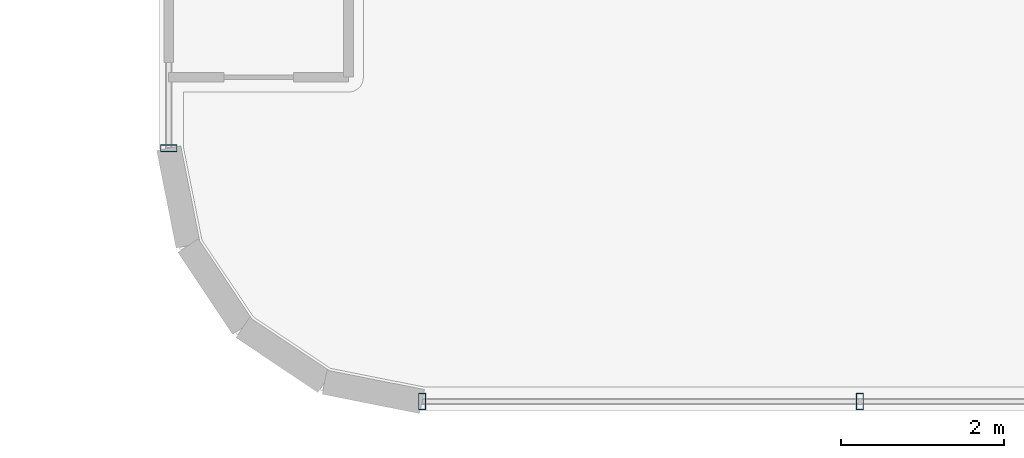
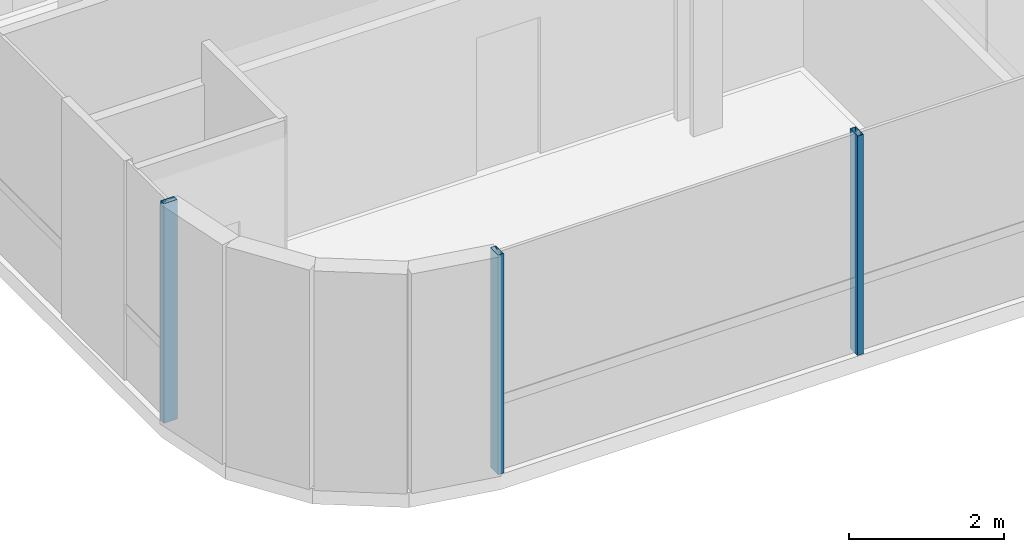
# One storey, part 2 of 40: 3 members, 2 elements without a shape of their own.
"""IFC4 building model written with IfcOpenShell, lengths in metres."""

import ifcopenshell
import ifcopenshell.guid

model = None  # the IFC model being written
_history = None  # IfcOwnerHistory: only IFC2X3 demands one
_inside = {}  # id of a spatial element -> (the spatial element, [elements in it])
_under = {}  # id of a project, library or spatial element -> (it, [spatial elements below it])
_declared = {}  # id of a project -> (the project, [libraries it declares])
_typed = {}  # id of a type object -> (the type object, [elements of that type])
_made_of = {}  # id of a material, layer set ... -> (it, [elements and type objects made of it])


def new_model(schema):
    """Start an empty IFC model of exactly this schema.

    Asked for "IFC4X3", IfcOpenShell would pick the latest addendum, in which some entities
    have other attributes; the version numbers below select the first issue.
    IFC2X3 requires an IfcOwnerHistory on every rooted entity: one is made here for all.
    """
    global model, _history
    if schema == "IFC4X3":
        model = ifcopenshell.file(schema_version=(4, 3, 0, 0))
    else:
        model = ifcopenshell.file(schema=schema)
    _inside.clear()
    _under.clear()
    _declared.clear()
    _typed.clear()
    _made_of.clear()
    _history = None
    if model.schema == "IFC2X3":
        org = make("IfcOrganization", Name="unknown")
        user = make(
            "IfcPersonAndOrganization",
            ThePerson=make("IfcPerson", FamilyName="unknown"),
            TheOrganization=org,
        )
        app = make(
            "IfcApplication",
            ApplicationDeveloper=org,
            Version="unknown",
            ApplicationFullName="unknown",
            ApplicationIdentifier="unknown",
        )
        _history = make(
            "IfcOwnerHistory",
            OwningUser=user,
            OwningApplication=app,
            ChangeAction="ADDED",
            CreationDate=0,
        )
    return model


def make(cls, **values):
    """One entity of the class cls with the attributes given. An attribute that is None is left unset."""
    return model.create_entity(
        cls, **{name: value for name, value in values.items() if value is not None}
    )


def rooted(cls, **values):
    """An entity with a GlobalId (a new one), such as an element, a storey or a relation."""
    return make(cls, GlobalId=ifcopenshell.guid.new(), OwnerHistory=_history, **values)


def si_unit(unit_type, name, prefix=None):
    """IfcSIUnit, for example si_unit("LENGTHUNIT", "METRE", prefix="MILLI")."""
    return make("IfcSIUnit", UnitType=unit_type, Prefix=prefix, Name=name)


def assignment(units):
    """IfcUnitAssignment: the units of a project."""
    return None if units is None else make("IfcUnitAssignment", Units=units)


def point(xyz):
    """IfcCartesianPoint."""
    return None if xyz is None else make("IfcCartesianPoint", Coordinates=xyz)


def direction(xyz):
    """IfcDirection."""
    return None if xyz is None else make("IfcDirection", DirectionRatios=xyz)


def frame(location, z_axis=None, x_axis=None):
    """IfcAxis2Placement3D, a coordinate frame: its origin and axes. An axis left out is left unset."""
    return make(
        "IfcAxis2Placement3D",
        Location=point(location),
        Axis=direction(z_axis),
        RefDirection=direction(x_axis),
    )


def frame_2d(location, x_axis=None):
    """IfcAxis2Placement2D, a coordinate frame in the plane: its origin and x axis."""
    return make(
        "IfcAxis2Placement2D", Location=point(location), RefDirection=direction(x_axis)
    )


def origin():
    """The frame at (0, 0, 0) with its axes left unset."""
    return frame((0.0, 0.0, 0.0))


def origin_2d():
    """The frame at (0, 0) in the plane with its x axis left unset."""
    return frame_2d((0.0, 0.0))


def place(relative_to, where):
    """IfcLocalPlacement: puts the frame where relative to a parent placement (None: the world)."""
    return make(
        "IfcLocalPlacement", PlacementRelTo=relative_to, RelativePlacement=where
    )


def context(
    kind, dimensions, precision=None, world=None, true_north=None, identifier=None
):
    """IfcGeometricRepresentationContext, for example the 3D "Model" context."""
    return make(
        "IfcGeometricRepresentationContext",
        ContextIdentifier=identifier,
        ContextType=kind,
        CoordinateSpaceDimension=dimensions,
        Precision=precision,
        WorldCoordinateSystem=world,
        TrueNorth=true_north,
    )


def subcontext(parent, identifier, kind, view, scale=None):
    """IfcGeometricRepresentationSubContext, for example "Body" below "Model"."""
    return make(
        "IfcGeometricRepresentationSubContext",
        ContextIdentifier=identifier,
        ContextType=kind,
        ParentContext=parent,
        TargetScale=scale,
        TargetView=view,
    )


def project(units=None, contexts=None):
    """IfcProject with its units and contexts."""
    return rooted(
        "IfcProject",
        Name="project",
        RepresentationContexts=contexts,
        UnitsInContext=assignment(units),
    )


def spatial(cls, under=None, at=None, **own):
    """A site, building, storey or space (cls), placed at a placement, below another one or the project."""
    s = rooted(cls, ObjectPlacement=at, **own)
    if under is not None:
        _under.setdefault(under.id(), (under, []))[1].append(s)
    return s


def profile(cls, at=None, kind="AREA", **sizes):
    """A parametric profile (cls). Its sizes go by their IFC names, for example OverallWidth=200.0."""
    return make(cls, ProfileType=kind, Position=at, **sizes)


def hollow_rectangle(**sizes):
    """IfcRectangleHollowProfileDef."""
    return profile("IfcRectangleHollowProfileDef", **sizes)


def extrude(swept, where, along, depth):
    """IfcExtrudedAreaSolid: the profile swept, set in the frame where, extruded along a direction by depth."""
    return make(
        "IfcExtrudedAreaSolid",
        SweptArea=swept,
        Position=where,
        ExtrudedDirection=direction(along),
        Depth=depth,
    )


def shape(context_of_items, identifier, shape_type, items):
    """IfcShapeRepresentation: the items that make up one representation, for example the "Body"."""
    return make(
        "IfcShapeRepresentation",
        ContextOfItems=context_of_items,
        RepresentationIdentifier=identifier,
        RepresentationType=shape_type,
        Items=items,
    )


def source(mapping_origin, context_of_items, identifier, shape_type, items):
    """IfcRepresentationMap: a shape defined once, which mapped items show again and again."""
    return make(
        "IfcRepresentationMap",
        MappingOrigin=mapping_origin,
        MappedRepresentation=shape(context_of_items, identifier, shape_type, items),
    )


def transform(
    local_origin,
    x_axis=None,
    y_axis=None,
    z_axis=None,
    scale=None,
    scale2=None,
    scale3=None,
    uniform=True,
):
    """IfcCartesianTransformationOperator3D, or its non-uniform kind. x_axis, y_axis, z_axis: its Axis1, 2, 3."""
    if uniform:
        return make(
            "IfcCartesianTransformationOperator3D",
            Axis1=direction(x_axis),
            Axis2=direction(y_axis),
            LocalOrigin=point(local_origin),
            Scale=scale,
            Axis3=direction(z_axis),
        )
    return make(
        "IfcCartesianTransformationOperator3DnonUniform",
        Axis1=direction(x_axis),
        Axis2=direction(y_axis),
        LocalOrigin=point(local_origin),
        Scale=scale,
        Axis3=direction(z_axis),
        Scale2=scale2,
        Scale3=scale3,
    )


def mapped(mapping_source, mapping_target):
    """IfcMappedItem: shows the shape of a source again, moved by a transform."""
    return make(
        "IfcMappedItem", MappingSource=mapping_source, MappingTarget=mapping_target
    )


def material(Name=None, Category=None):
    """IfcMaterial."""
    return make("IfcMaterial", Name=Name, Category=Category)


def material_profile(
    of_material, cross_section, Name=None, Category=None, Priority=None
):
    """IfcMaterialProfile: a cross section and its material."""
    return make(
        "IfcMaterialProfile",
        Name=Name,
        Material=of_material,
        Profile=cross_section,
        Priority=Priority,
        Category=Category,
    )


def profile_set(profiles, Name=None, composite=None):
    """IfcMaterialProfileSet."""
    return make(
        "IfcMaterialProfileSet",
        Name=Name,
        MaterialProfiles=profiles,
        CompositeProfile=composite,
    )


def made_of(thing, what):
    """Note that an element or type object is made of a material, layer set ...; save() writes the relation."""
    if what is not None:
        _made_of.setdefault(what.id(), (what, []))[1].append(thing)
    return thing


def type_object(cls, material=None, **own):
    """A type object (cls), such as IfcWallType, which elements share."""
    return made_of(rooted(cls, **own), material)


def element(
    cls,
    number,
    at=None,
    inside=None,
    cuts=None,
    type_object=None,
    material=None,
    context=None,
    identifier="Body",
    shape_type=None,
    held_by="IfcProductDefinitionShape",
    body=None,
    shapes=None,
    **own,
):
    """One element of the class cls, such as IfcWall. Its Tag is "e" and its number.

    at: its placement. inside: the storey or other place that contains it. cuts: it is an
    opening in that element (IfcRelVoidsElement). A single representation is given by context,
    identifier, shape_type and body (its items); several are given by shapes. held_by: the class
    of the entity that holds the representations. save() writes the other relations.
    """
    e = rooted(cls, Tag="e%d" % number, ObjectPlacement=at, **own)
    if body is not None:
        shapes = [shape(context, identifier, shape_type, body)]
    if shapes is not None:
        e.Representation = make(held_by, Representations=shapes)
    if inside is not None:
        _inside.setdefault(inside.id(), (inside, []))[1].append(e)
    if cuts is not None:
        rooted(
            "IfcRelVoidsElement", RelatingBuildingElement=cuts, RelatedOpeningElement=e
        )
    if type_object is not None:
        _typed.setdefault(type_object.id(), (type_object, []))[1].append(e)
    return made_of(e, material)


def aggregate(whole, parts):
    """IfcRelAggregates: a whole, such as a stair, and the parts it consists of."""
    return rooted("IfcRelAggregates", RelatingObject=whole, RelatedObjects=parts)


def save(model, path):
    """Write the relations noted so far, then the file.

    IfcRelAggregates (storeys below a building ...), IfcRelContainedInSpatialStructure (elements
    in a storey), IfcRelDefinesByType, IfcRelAssociatesMaterial and IfcRelDeclares: one each for
    every whole, place, type object, material and project.
    """
    for whole, parts in _under.values():
        aggregate(whole, parts)
    for where, things in _inside.values():
        rooted(
            "IfcRelContainedInSpatialStructure",
            RelatedElements=things,
            RelatingStructure=where,
        )
    for kind, things in _typed.values():
        rooted("IfcRelDefinesByType", RelatedObjects=things, RelatingType=kind)
    for what, things in _made_of.values():
        rooted("IfcRelAssociatesMaterial", RelatedObjects=things, RelatingMaterial=what)
    for by, libraries in _declared.values():
        rooted("IfcRelDeclares", RelatingContext=by, RelatedDefinitions=libraries)
    model.write(path)


model = new_model("IFC4")

# Units and contexts
model_context = context("Model", 3, precision=1e-05, world=origin(), true_north=direction((0.0, 1.0)))
body_context = subcontext(model_context, "Body", "Model", "MODEL_VIEW")
ifc_project = project(units=[si_unit("LENGTHUNIT", "METRE"), si_unit("AREAUNIT", "SQUARE_METRE"), si_unit("VOLUMEUNIT", "CUBIC_METRE"), si_unit("PLANEANGLEUNIT", "RADIAN"), si_unit("MASSUNIT", "GRAM", prefix="KILO")], contexts=[model_context])

# Site, building, storey
site_placement = place(None, origin())
site = spatial("IfcSite", under=ifc_project, at=site_placement, CompositionType="ELEMENT")
building_placement = place(site_placement, origin())
building = spatial("IfcBuilding", under=site, at=building_placement, Name="Valdorenza Pilgrim Sanctuary Tower", CompositionType="ELEMENT")
storey_placement = place(building_placement, frame((0.0, 0.0, 44.5)))
storey = spatial("IfcBuildingStorey", under=building, at=storey_placement, Name="L10", CompositionType="ELEMENT", Elevation=44.5)

# Curtain wall, member
ifc_material_1 = material(Name="Curtain-wall IGU glazing", Category="glass")
curtain_wall_type = type_object("IfcCurtainWallType", Name="CW-SYS-02", PredefinedType="NOTDEFINED", material=ifc_material_1)
curtain_wall_1_placement = place(storey_placement, origin())
curtain_wall_1 = element("IfcCurtainWall", 1, at=curtain_wall_1_placement, inside=storey, type_object=curtain_wall_type, Name="L10 Curtain Wall CW-L10-1-1S1", PredefinedType="NOTDEFINED")
ifc_material_2 = material(Name="Anodised aluminium AW-6060", Category="aluminium")
ifc_material_profile = material_profile(ifc_material_2, hollow_rectangle(XDim=0.0849609375, YDim=0.199951171875, WallThickness=0.0048828125, at=origin_2d()), Name="ALU-M 200x85x5")
ifc_profile_set = profile_set([ifc_material_profile], Name="Anodised aluminium AW-6060")
member_type = type_object("IfcMemberType", Name="CW-MUL-02", PredefinedType="MULLION", material=ifc_profile_set)
shared_shape = source(origin(), body_context, "Body", "SweptSolid", [
    extrude(hollow_rectangle(XDim=0.0849609375, YDim=0.199951171875, WallThickness=0.0048828125, at=origin_2d()), origin(), (0.0, 0.0, 1.0), 3.4599609375),
])
member_1_placement = place(storey_placement, frame((-31.889892578125, -15.789306640625, 0.0), z_axis=(0.0, 0.0, 1.0), x_axis=(0.0, 1.0, 0.0)))
member_1 = element("IfcMember", 2, at=member_1_placement, type_object=member_type, Name="CW-L10-1-1S1 Mullion 1", PredefinedType="MULLION", context=body_context, shape_type="MappedRepresentation", body=[
    mapped(shared_shape, transform((0.0, 0.0, 0.0), x_axis=(1.0, 0.0, 0.0), y_axis=(0.0, 1.0, 0.0), z_axis=(0.0, 0.0, 1.0), scale=1.0)),
])
aggregate(curtain_wall_1, [member_1])

# Curtain wall, members
curtain_wall_2_placement = place(storey_placement, origin())
curtain_wall_2 = element("IfcCurtainWall", 3, at=curtain_wall_2_placement, inside=storey, type_object=curtain_wall_type, Name="L10 Curtain Wall CW-L10-1-46", PredefinedType="NOTDEFINED")
member_2_placement = place(storey_placement, frame((-23.4296875, -18.889892578125, 0.0), z_axis=(0.0, 0.0, 1.0), x_axis=(-1.0, 0.0, 0.0)))
member_2 = element("IfcMember", 4, at=member_2_placement, type_object=member_type, Name="CW-L10-1-46 Mullion 3", PredefinedType="MULLION", context=body_context, shape_type="MappedRepresentation", body=[
    mapped(shared_shape, transform((0.0, 0.0, 0.0), x_axis=(1.0, 0.0, 0.0), y_axis=(0.0, 1.0, 0.0), z_axis=(0.0, 0.0, 1.0), scale=1.0)),
])
member_3_placement = place(storey_placement, frame((-28.789306640625, -18.889892578125, 0.0), z_axis=(0.0, 0.0, 1.0), x_axis=(-1.0, 0.0, 0.0)))
member_3 = element("IfcMember", 5, at=member_3_placement, type_object=member_type, Name="CW-L10-1-46 Mullion 4", PredefinedType="MULLION", context=body_context, shape_type="MappedRepresentation", body=[
    mapped(shared_shape, transform((0.0, 0.0, 0.0), x_axis=(1.0, 0.0, 0.0), y_axis=(0.0, 1.0, 0.0), z_axis=(0.0, 0.0, 1.0), scale=1.0)),
])
aggregate(curtain_wall_2, [member_2, member_3])

save(model, "model.ifc")
